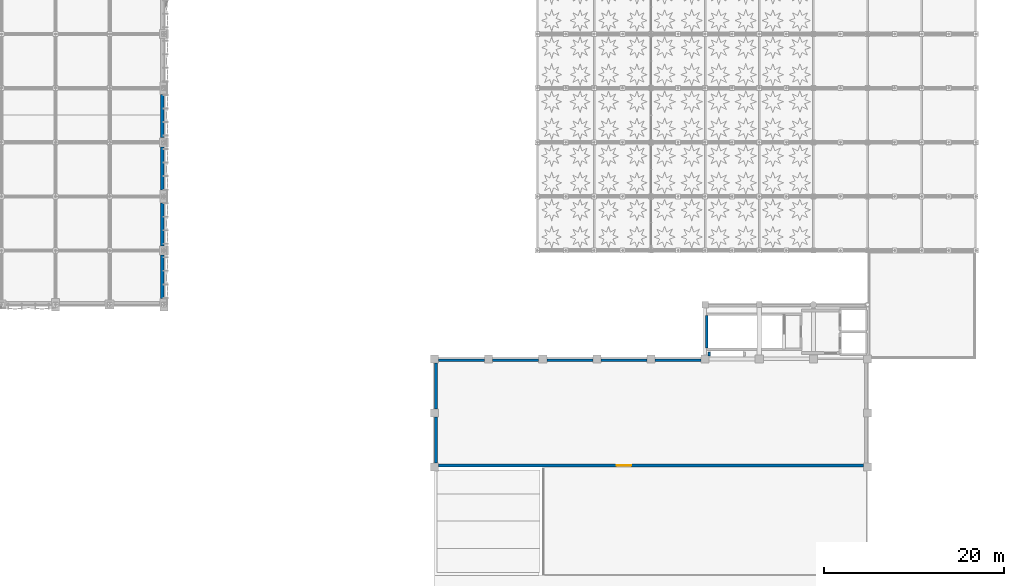
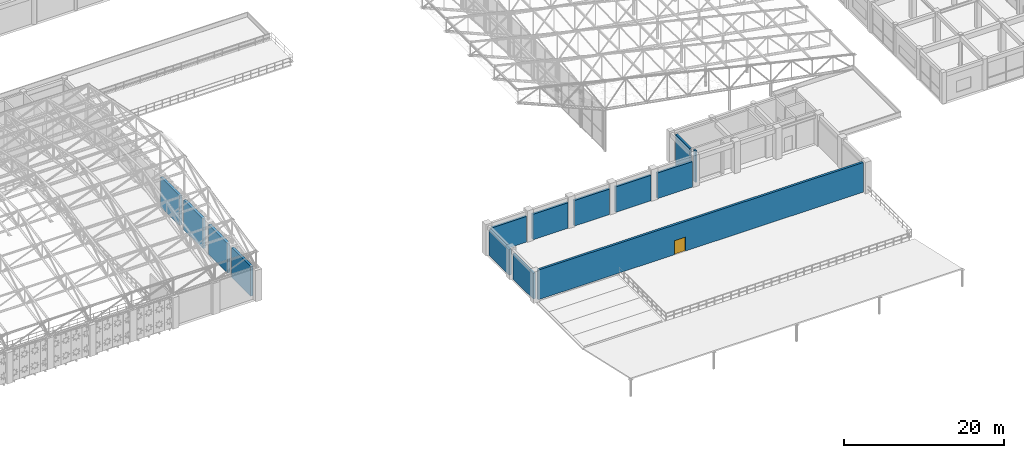
# One storey, part 92 of 112: 14 walls, 1 door, 1 opening.
"""IFC4 building model written with IfcOpenShell, lengths in metres."""

from ifc_helpers import new_model, si_unit, direction, frame, frame_2d, origin, place, context, subcontext, project, spatial, rectangle, extrude, material, layer, layer_set, type_object, element, fill, save


model = new_model("IFC4")

# Units and contexts
model_context = context("Model", 3, precision=1e-05, world=origin(), true_north=direction((0.0, 1.0)))
body_context = subcontext(model_context, "Body", "Model", "MODEL_VIEW")
ifc_project = project(units=[si_unit("LENGTHUNIT", "METRE"), si_unit("AREAUNIT", "SQUARE_METRE"), si_unit("VOLUMEUNIT", "CUBIC_METRE"), si_unit("PLANEANGLEUNIT", "RADIAN"), si_unit("MASSUNIT", "GRAM", prefix="KILO"), si_unit("THERMODYNAMICTEMPERATUREUNIT", "KELVIN"), si_unit("POWERUNIT", "WATT")], contexts=[model_context])

# Site, building, storey
site_placement = place(None, origin())
site = spatial("IfcSite", under=ifc_project, at=site_placement, CompositionType="ELEMENT")
building_placement = place(site_placement, origin())
building = spatial("IfcBuilding", under=site, at=building_placement, Name="Phaisarnlok Congress Hotel", CompositionType="ELEMENT")
storey_placement = place(building_placement, frame((0.0, 0.0, 19.800048828125)))
storey = spatial("IfcBuildingStorey", under=building, at=storey_placement, Name="L04", CompositionType="ELEMENT", Elevation=19.800048828125)

# Wall, opening, door
ifc_material_1 = material(Name="Concrete C40/50", Category="concrete")
ifc_layer_1 = layer(ifc_material_1, 0.320068359375, Name="Concrete C40/50")
ifc_layer_set_1 = layer_set([ifc_layer_1], Name="Concrete C40/50")
wall_type_1 = type_object("IfcWallType", Name="WL-EXT-320", PredefinedType="SOLIDWALL", material=ifc_layer_set_1)
wall_1_placement = place(storey_placement, frame((96.455078125, 24.159912109375, 0.0), z_axis=(0.0, 0.0, 1.0), x_axis=(1.0, 0.0, 0.0)))
wall_1 = element("IfcWall", 1, at=wall_1_placement, inside=storey, type_object=wall_type_1, Name="Exterior wall EW-02 (L04)", PredefinedType="SOLIDWALL", context=body_context, shape_type="SweptSolid", body=[
    extrude(rectangle(XDim=47.08984375, YDim=0.320068359375, at=frame_2d((23.544921875, 0.0))), origin(), (0.0, 0.0, 1.0), 4.550048828125),
])
opening_placement = place(wall_1_placement, frame((19.7451171875, 0.0, 0.0)))
opening = element("IfcOpeningElement", 2, at=opening_placement, cuts=wall_1, Name="Opening TD-05", PredefinedType="OPENING", context=body_context, shape_type="SweptSolid", body=[
    extrude(rectangle(XDim=1.60009765625, YDim=2.14990234375, at=frame_2d((0.800048828125, 1.074951171875))), frame((0.0, 0.169921875, 0.0), z_axis=(0.0, -1.0, 0.0), x_axis=(1.0, 0.0, 0.0)), (0.0, 0.0, 1.0), 0.340087890625),
])
ifc_material_2 = material(Name="Powder-Coated Steel & Laminated Safety Glass", Category="steel")
door_type = type_object("IfcDoorType", Name="DR-TER-1600", OperationType="DOUBLE_DOOR_SINGLE_SWING", PredefinedType="DOOR", material=ifc_material_2)
door_placement = place(opening_placement, frame((1.60009765625, 0.0, 0.0), z_axis=(0.0, 0.0, 1.0), x_axis=(-1.0, 0.0, 0.0)))
door = element("IfcDoor", 3, at=door_placement, inside=storey, type_object=door_type, Name="Outdoor terrace door TD-05 (L04)", OperationType="SINGLE_SWING_LEFT", OverallHeight=2.14990234375, OverallWidth=1.60009765625, PredefinedType="DOOR", context=body_context, shape_type="SweptSolid", body=[
    extrude(rectangle(XDim=1.60009765625, YDim=2.14990234375, at=frame_2d((0.800048828125, 1.074951171875))), frame((0.0, 0.02490234375, 0.0), z_axis=(0.0, -1.0, 0.0), x_axis=(1.0, 0.0, 0.0)), (0.0, 0.0, 1.0), 0.050048828125),
])
fill(opening, door)

# Walls
for number, where, z_axis, x_axis, name in (
    (4, (125.544921875, 35.840087890625, 0.0), (0.0, 0.0, 1.0), (-1.0, 0.0, 0.0), "Exterior wall EW-02 (L04)"),
    (5, (119.544921875, 35.840087890625, 0.0), (0.0, 0.0, 1.0), (-1.0, 0.0, 0.0), "Exterior wall EW-02 (L04)"),
    (6, (113.544921875, 35.840087890625, 0.0), (0.0, 0.0, 1.0), (-1.0, 0.0, 0.0), "Exterior wall EW-02 (L04)"),
    (7, (107.544921875, 35.840087890625, 0.0), (0.0, 0.0, 1.0), (-1.0, 0.0, 0.0), "Exterior wall EW-02 (L04)"),
    (8, (101.544921875, 35.840087890625, 0.0), (0.0, 0.0, 1.0), (-1.0, 0.0, 0.0), "Exterior wall EW-02 (L04)"),
    (9, (96.159912109375, 35.544921875, 0.0), (0.0, 0.0, 1.0), (0.0, -1.0, 0.0), "Exterior wall EW-02 (L04)"),
    (10, (96.159912109375, 29.544921875, 0.0), (0.0, 0.0, 1.0), (0.0, -1.0, 0.0), "Exterior wall EW-02 (L04)"),
):
    element("IfcWall", number, at=place(storey_placement, frame(where, z_axis=z_axis, x_axis=x_axis)), inside=storey, type_object=wall_type_1, Name=name, PredefinedType="SOLIDWALL", context=body_context, shape_type="SweptSolid", body=[
        extrude(rectangle(XDim=5.08984375, YDim=0.320068359375, at=frame_2d((2.544921875, 0.0))), origin(), (0.0, 0.0, 1.0), 3.909912109375),
    ])
ifc_layer_2 = layer(ifc_material_1, 0.360107421875, Name="Concrete C40/50")
ifc_layer_set_2 = layer_set([ifc_layer_2], Name="Concrete C40/50")
wall_type_2 = type_object("IfcWallType", Name="WL-EXT-360", PredefinedType="SOLIDWALL", material=ifc_layer_set_2)
for number, where, z_axis, x_axis, name in (
    (11, (65.820068359375, 42.705078125, 0.0), (0.0, 0.0, 1.0), (0.0, 1.0, 0.0), "Exterior wall EW-01 (L04)"),
    (12, (65.820068359375, 48.5048828125, 0.0), (0.0, 0.0, 1.0), (0.0, 1.0, 0.0), "Exterior wall EW-01 (L04)"),
    (13, (65.820068359375, 54.705078125, 0.0), (0.0, 0.0, 1.0), (0.0, 1.0, 0.0), "Exterior wall EW-01 (L04)"),
    (14, (65.820068359375, 60.5048828125, 0.0), (0.0, 0.0, 1.0), (0.0, 1.0, 0.0), "Exterior wall EW-01 (L04)"),
):
    element("IfcWall", number, at=place(storey_placement, frame(where, z_axis=z_axis, x_axis=x_axis)), inside=storey, type_object=wall_type_2, Name=name, PredefinedType="SOLIDWALL", context=body_context, shape_type="SweptSolid", body=[
        extrude(rectangle(XDim=4.7900390625, YDim=0.360107421875, at=frame_2d((2.39501953125, 0.0))), origin(), (0.0, 0.0, 1.0), 4.550048828125),
    ])
ifc_material_3 = material(Name="Concrete C50/60", Category="concrete")
ifc_layer_3 = layer(ifc_material_3, 0.260009765625, Name="Concrete C50/60")
ifc_layer_set_3 = layer_set([ifc_layer_3], Name="Concrete C50/60")
wall_type_3 = type_object("IfcWallType", Name="WL-SHR-260", PredefinedType="SHEAR", material=ifc_layer_set_3)
wall_2_placement = place(storey_placement, frame((126.469970703125, 36.330078125, 0.0), z_axis=(0.0, 0.0, 1.0), x_axis=(0.0, 1.0, 0.0)))
element("IfcWall", 15, at=wall_2_placement, inside=storey, type_object=wall_type_3, Name="Service riser shaft wall SW-04 (CORE-6 L04)", PredefinedType="SHEAR", context=body_context, shape_type="SweptSolid", body=[
    extrude(rectangle(XDim=0.43994140625, YDim=0.260009765625, at=frame_2d((0.219970703125, 0.0))), origin(), (0.0, 0.0, 1.0), 4.800048828125),
])
ifc_layer_4 = layer(ifc_material_3, 0.260009765625, Name="Concrete C50/60")
ifc_layer_set_4 = layer_set([ifc_layer_4], Name="Concrete C50/60")
wall_type_4 = type_object("IfcWallType", Name="WL-SHR-260-EXT", PredefinedType="SHEAR", material=ifc_layer_set_4)
wall_3_placement = place(storey_placement, frame((126.169921875, 37.199951171875, 0.0), z_axis=(0.0, 0.0, 1.0), x_axis=(0.0, 1.0, 0.0)))
element("IfcWall", 16, at=wall_3_placement, inside=storey, type_object=wall_type_4, Name="Stair shaft shear wall SW-04E (CORE-6 L04)", PredefinedType="SHEAR", context=body_context, shape_type="SweptSolid", body=[
    extrude(rectangle(XDim=3.60009765625, YDim=0.260009765625, at=frame_2d((1.800048828125, 0.0))), origin(), (0.0, 0.0, 1.0), 4.800048828125),
])

save(model, "model.ifc")
